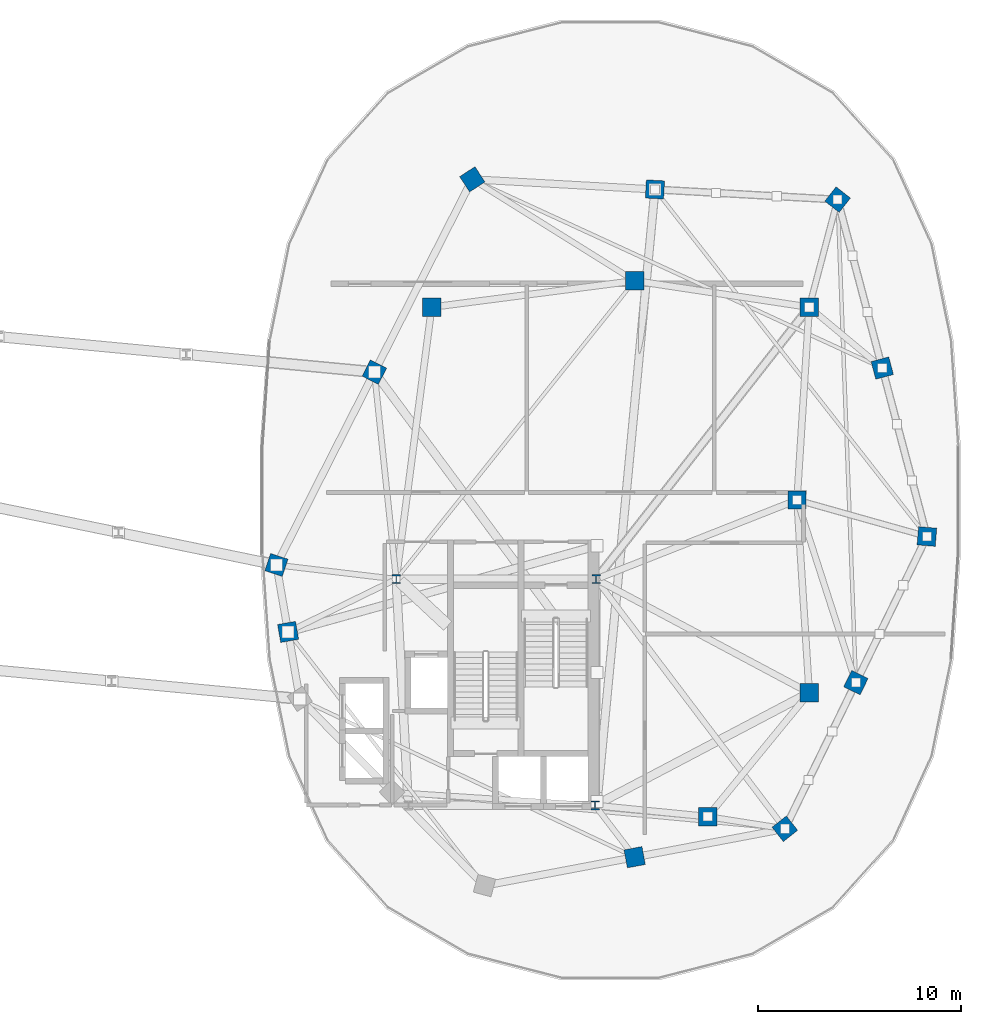
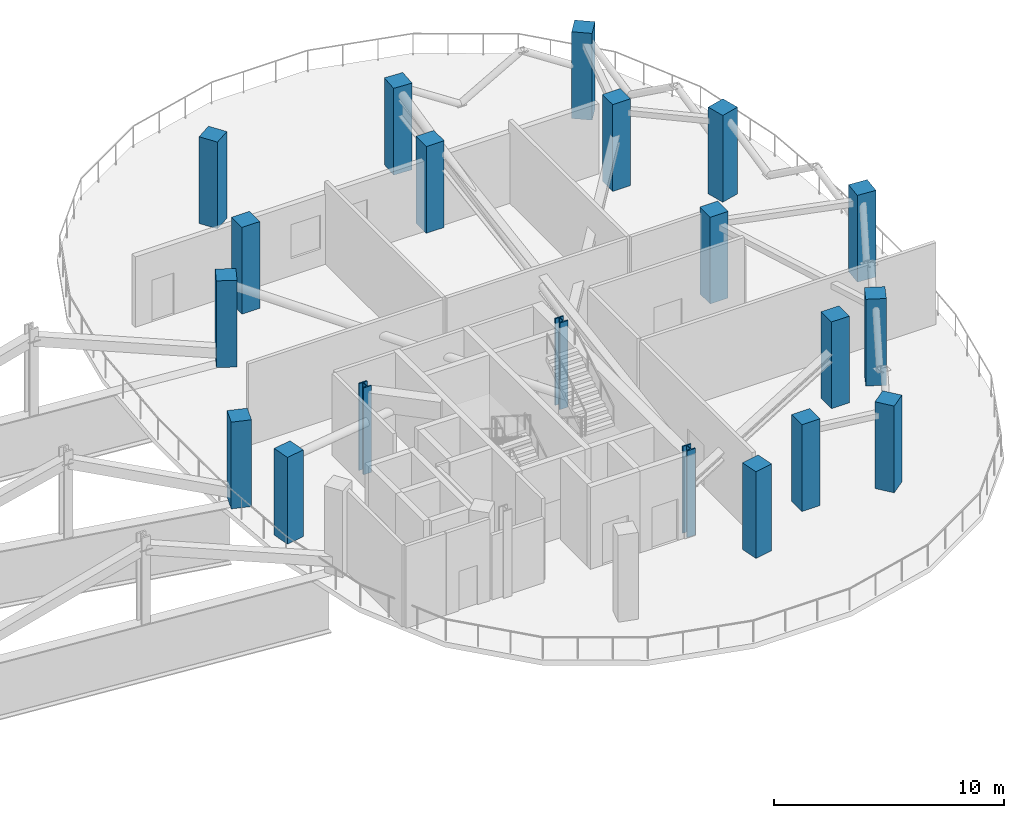
# One storey, part 2 of 16: 20 columns.
"""IFC4 building model written with IfcOpenShell, lengths in metres."""

from ifc_helpers import new_model, si_unit, direction, frame, origin, origin_2d, place, context, subcontext, project, spatial, rectangle, i_section, extrude, material, material_profile, profile_set, type_object, element, save


model = new_model("IFC4")

# Units and contexts
model_context = context("Model", 3, precision=1e-05, world=origin(), true_north=direction((0.0, 1.0)))
body_context = subcontext(model_context, "Body", "Model", "MODEL_VIEW")
ifc_project = project(units=[si_unit("LENGTHUNIT", "METRE"), si_unit("AREAUNIT", "SQUARE_METRE"), si_unit("VOLUMEUNIT", "CUBIC_METRE"), si_unit("PLANEANGLEUNIT", "RADIAN"), si_unit("MASSUNIT", "GRAM", prefix="KILO"), si_unit("THERMODYNAMICTEMPERATUREUNIT", "KELVIN"), si_unit("POWERUNIT", "WATT")], contexts=[model_context])

# Site, building, storey
site_placement = place(None, origin())
site = spatial("IfcSite", under=ifc_project, at=site_placement, CompositionType="ELEMENT")
building_placement = place(site_placement, origin())
building = spatial("IfcBuilding", under=site, at=building_placement, Name="Cundina Bronze Exchange", CompositionType="ELEMENT")
storey_placement = place(building_placement, frame((0.0, 0.0, 235.0)))
storey = spatial("IfcBuildingStorey", under=building, at=storey_placement, Name="L62", CompositionType="ELEMENT", Elevation=235.0)

# Columns
ifc_material_1 = material(Name="Steel ASTM A992 Grade 50", Category="steel")
ifc_material_profile_1 = material_profile(ifc_material_1, i_section(OverallWidth=0.416015625, OverallDepth=0.446044921875, WebThickness=0.0390625, FlangeThickness=0.062744140625, FilletRadius=0.01806640625, at=origin_2d()), Name="W14X342", Category="steel")
ifc_profile_set_1 = profile_set([ifc_material_profile_1], Name="Steel ASTM A992 Grade 50")
column_type_1 = type_object("IfcColumnType", Name="COL-STL-W14B", PredefinedType="COLUMN", material=ifc_profile_set_1)
for number, where, z_axis, x_axis, name in (
    (1, (31.300048828125, -3.89990234375, 0.0), (0.0, 0.0, 1.0), (1.0, 0.0, 0.0), "L62 Core Anchor Column E1"),
    (2, (21.449951171875, -3.89990234375, 0.0), (0.0, 0.0, 1.0), (1.0, 0.0, 0.0), "L62 Core Anchor Column E2"),
    (3, (31.25, -15.050048828125, 0.0), (0.0, 0.0, 1.0), (1.0, 0.0, 0.0), "L62 Core Anchor Column E4"),
):
    element("IfcColumn", number, at=place(storey_placement, frame(where, z_axis=z_axis, x_axis=x_axis)), inside=storey, type_object=column_type_1, Name=name, PredefinedType="COLUMN", context=body_context, shape_type="SweptSolid", body=[
        extrude(i_section(OverallWidth=0.416015625, OverallDepth=0.446044921875, WebThickness=0.0390625, FlangeThickness=0.062744140625, FilletRadius=0.01806640625, at=origin_2d()), origin(), (0.0, 0.0, 1.0), 4.60009765625),
    ])
ifc_material_2 = material(Name="Concrete C50/60", Category="concrete")
ifc_material_profile_2 = material_profile(ifc_material_2, rectangle(XDim=0.89990234375, YDim=0.89990234375, at=origin_2d()), Name="RC900X900", Category="concrete")
ifc_profile_set_2 = profile_set([ifc_material_profile_2], Name="Concrete C50/60")
column_type_2 = type_object("IfcColumnType", Name="COL-Z4-900", PredefinedType="COLUMN", material=ifc_profile_set_2)
for number, where, z_axis, x_axis, name in (
    (4, (41.199951171875, 0.0, 0.0), (0.0, 0.0, 1.0), (1.0, 0.0, 0.0), "L62 E Inner Ring Column 1"),
    (5, (41.800048828125, -9.5, 0.0), (0.0, 0.0, 1.0), (1.0, 0.0, 0.0), "L62 E Inner Ring Column 2"),
    (6, (36.800048828125, -15.60009765625, 0.0), (0.0, 0.0, 1.0), (1.0, 0.0, 0.0), "L62 E Inner Ring Column 3"),
    (7, (41.800048828125, 9.5, 0.0), (0.0, 0.0, 1.0), (1.0, 0.0, 0.0), "L62 E Inner Ring Column 4"),
    (8, (33.199951171875, 10.800048828125, 0.0), (0.0, 0.0, 1.0), (1.0, 0.0, 0.0), "L62 E Inner Ring Column 5"),
    (9, (23.199951171875, 9.5, 0.0), (0.0, 0.0, 1.0), (1.0, 0.0, 0.0), "L62 E Inner Ring Column 6"),
    (10, (15.550048828125, -3.199951171875, 0.0), (0.0, 0.0, 1.0), (-0.315152163383, -0.949041155016, 0.0), "L62 E Perimeter Column 00"),
    (11, (16.125, -6.5, 0.0), (0.0, 0.0, 1.0), (0.171585221787, -0.985169280715, 0.0), "L62 E Perimeter Column 01"),
    (12, (33.199951171875, -17.60009765625, 0.0), (0.0, 0.0, 1.0), (0.98258037664, 0.185838110843, 0.0), "L62 E Perimeter Column 05"),
    (13, (40.60009765625, -16.199951171875, 0.0), (0.0, 0.0, 1.0), (0.785100778485, 0.619368038909, 0.0), "L62 E Perimeter Column 06"),
    (14, (44.10009765625, -9.0, 0.0), (0.0, 0.0, 1.0), (0.437115766651, 0.899405251566, 0.0), "L62 E Perimeter Column 07"),
    (15, (47.60009765625, -1.800048828125, 0.0), (0.0, 0.0, 1.0), (0.083503921245, 0.996507448611, 0.0), "L62 E Perimeter Column 08"),
    (16, (45.39990234375, 6.5, 0.0), (0.0, 0.0, 1.0), (-0.256289373133, 0.966600102017, 0.0), "L62 E Perimeter Column 09"),
    (17, (43.199951171875, 14.800048828125, 0.0), (0.0, 0.0, 1.0), (-0.786288432137, 0.61785961309, 0.0), "L62 E Perimeter Column 10"),
    (18, (34.199951171875, 15.300048828125, 0.0), (0.0, 0.0, 1.0), (-0.998460188734, 0.055472980025, 0.0), "L62 E Perimeter Column 11"),
    (19, (25.199951171875, 15.800048828125, 0.0), (0.0, 0.0, 1.0), (-0.838099763533, -0.545516989988, 0.0), "L62 E Perimeter Column 12"),
    (20, (20.375, 6.300048828125, 0.0), (0.0, 0.0, 1.0), (-0.452901591366, -0.891560513111, 0.0), "L62 E Perimeter Column 13"),
):
    element("IfcColumn", number, at=place(storey_placement, frame(where, z_axis=z_axis, x_axis=x_axis)), inside=storey, type_object=column_type_2, Name=name, PredefinedType="COLUMN", context=body_context, shape_type="SweptSolid", body=[
        extrude(rectangle(XDim=0.89990234375, YDim=0.89990234375, at=origin_2d()), origin(), (0.0, 0.0, 1.0), 4.60009765625),
    ])

save(model, "model.ifc")
